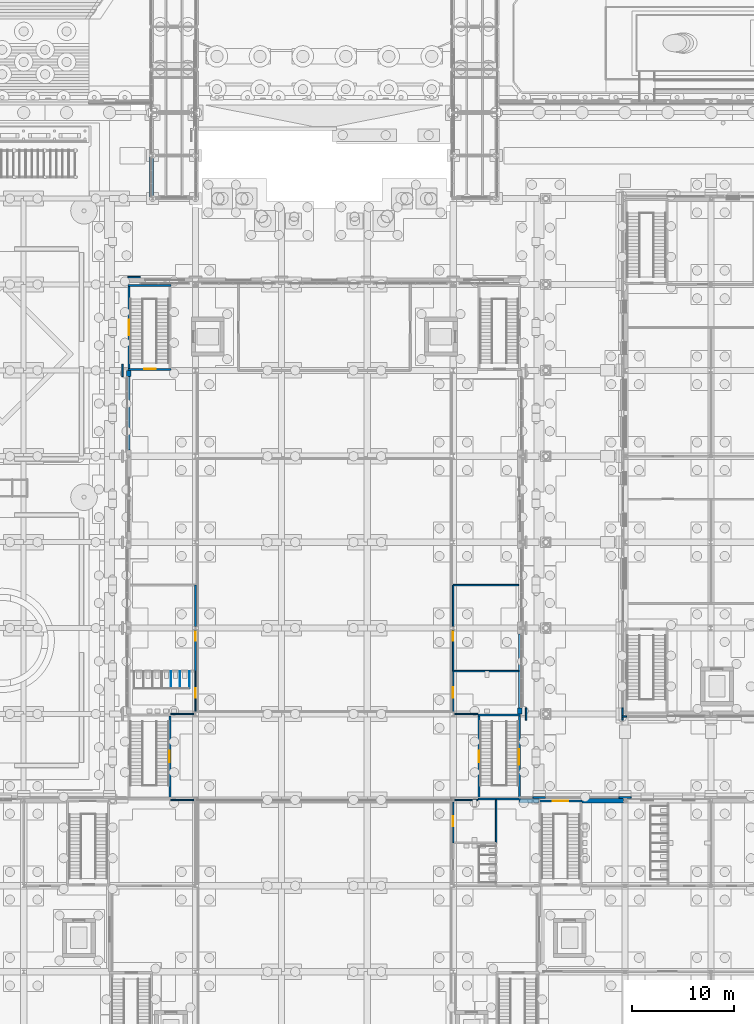
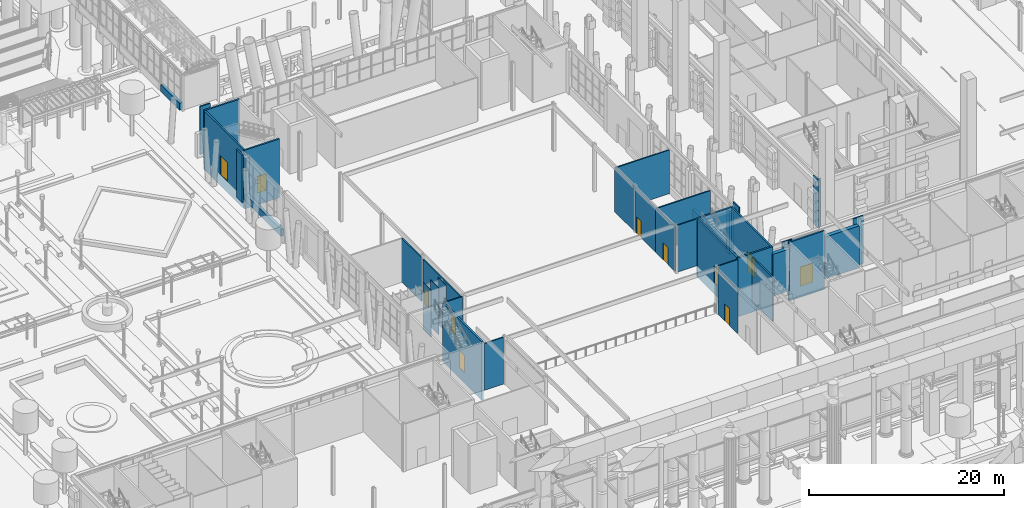
# One storey, part 94 of 222: 40 walls, 11 doors, 11 openings.
"""IFC4 building model written with IfcOpenShell, lengths in metres."""

from ifc_helpers import new_model, si_unit, direction, frame, frame_2d, origin, place, context, subcontext, project, spatial, rectangle, extrude, material, layer, layer_set, type_object, element, fill, save


model = new_model("IFC4")

# Units and contexts
model_context = context("Model", 3, precision=1e-05, world=origin(), true_north=direction((0.0, 1.0)))
body_context = subcontext(model_context, "Body", "Model", "MODEL_VIEW")
ifc_project = project(units=[si_unit("LENGTHUNIT", "METRE"), si_unit("AREAUNIT", "SQUARE_METRE"), si_unit("VOLUMEUNIT", "CUBIC_METRE"), si_unit("PLANEANGLEUNIT", "RADIAN"), si_unit("MASSUNIT", "GRAM", prefix="KILO")], contexts=[model_context])

# Site, building, storey
site_placement = place(None, origin())
site = spatial("IfcSite", under=ifc_project, at=site_placement, CompositionType="ELEMENT")
building_placement = place(site_placement, origin())
building = spatial("IfcBuilding", under=site, at=building_placement, Name="Sava Quay Ferry Terminal", CompositionType="ELEMENT")
storey_placement = place(building_placement, origin())
storey = spatial("IfcBuildingStorey", under=building, at=storey_placement, Name="L00", CompositionType="ELEMENT", Elevation=0.0)

# Walls
ifc_material_1 = material(Name="High-pressure laminate panel")
ifc_layer_1 = layer(ifc_material_1, 0.050048828125)
ifc_layer_set_1 = layer_set([ifc_layer_1], Name="High-pressure laminate panel")
wall_type_1 = type_object("IfcWallType", Name="Cubicle partition 50", PredefinedType="PARTITIONING", material=ifc_layer_set_1)
for number, where, z_axis, x_axis, name in (
    (1, (48.0, 63.0, 0.0), (0.0, 0.0, 1.0), (0.0, -1.0, 0.0), "Cubicle partition panel"),
    (2, (48.89990234375, 63.0, 0.0), (0.0, 0.0, 1.0), (0.0, -1.0, 0.0), "Cubicle partition panel"),
    (3, (49.800048828125, 63.0, 0.0), (0.0, 0.0, 1.0), (0.0, -1.0, 0.0), "Cubicle partition panel"),
):
    element("IfcWall", number, at=place(storey_placement, frame(where, z_axis=z_axis, x_axis=x_axis)), inside=storey, type_object=wall_type_1, Name=name, PredefinedType="PARTITIONING", context=body_context, shape_type="SweptSolid", body=[
        extrude(rectangle(XDim=1.699951171875, YDim=0.050048828125, at=frame_2d((0.85009765625, 0.0))), origin(), (0.0, 0.0, 1.0), 5.8701171875),
    ])
ifc_material_2 = material(Name="Limestone Mutalj", Category="masonry")
ifc_layer_2 = layer(ifc_material_2, 0.35009765625)
ifc_layer_set_2 = layer_set([ifc_layer_2], Name="Limestone Mutalj")
wall_type_2 = type_object("IfcWallType", Name="Limestone kerb and parapet 350", PredefinedType="SOLIDWALL", material=ifc_layer_set_2)
wall_1_placement = place(storey_placement, frame((43.824951171875, 84.60009765625, 0.0), z_axis=(0.0, 0.0, 1.0), x_axis=(0.0, 1.0, 0.0)))
element("IfcWall", 4, at=wall_1_placement, inside=storey, type_object=wall_type_2, Name="External wall D", PredefinedType="SOLIDWALL", context=body_context, shape_type="SweptSolid", body=[
    extrude(rectangle(XDim=7.199951171875, YDim=0.35009765625, at=frame_2d((3.60009765625, 0.0))), origin(), (0.0, 0.0, 1.0), 0.89990234375),
])
wall_2_placement = place(storey_placement, frame((82.175048828125, 59.39990234375, 0.0), z_axis=(0.0, 0.0, 1.0), x_axis=(0.0, 1.0, 0.0)))
element("IfcWall", 5, at=wall_2_placement, inside=storey, type_object=wall_type_2, Name="External wall D", PredefinedType="SOLIDWALL", context=body_context, shape_type="SweptSolid", body=[
    extrude(rectangle(XDim=7.2001953125, YDim=0.35009765625, at=frame_2d((3.60009765625, 0.0))), origin(), (0.0, 0.0, 1.0), 0.89990234375),
])
wall_3_placement = place(storey_placement, frame((46.10009765625, 109.35009765625, 0.0), z_axis=(0.0, 0.0, 1.0), x_axis=(0.0, 1.0, 0.0)))
element("IfcWall", 6, at=wall_3_placement, inside=storey, type_object=wall_type_2, Name="Gallery kerb", PredefinedType="SOLIDWALL", context=body_context, shape_type="SweptSolid", body=[
    extrude(rectangle(XDim=3.89990234375, YDim=0.35009765625, at=frame_2d((1.949951171875, 0.0))), origin(), (0.0, 0.0, 1.0), 0.89990234375),
])
ifc_material_3 = material(Name="Limestone Mutalj", Category="masonry")
ifc_layer_3 = layer(ifc_material_3, 0.14990234375)
ifc_layer_set_3 = layer_set([ifc_layer_3], Name="Limestone Mutalj")
wall_type_3 = type_object("IfcWallType", Name="Pier cladding 150", PredefinedType="SOLIDWALL", material=ifc_layer_set_3)
wall_4_placement = place(storey_placement, frame((83.39990234375, 50.635009765625, 0.0), z_axis=(0.0, 0.0, 1.0), x_axis=(1.0, 0.0, 0.0)))
element("IfcWall", 7, at=wall_4_placement, inside=storey, type_object=wall_type_3, Name="Pier P-N grid 84", PredefinedType="SOLIDWALL", context=body_context, shape_type="SweptSolid", body=[
    extrude(rectangle(XDim=1.2001953125, YDim=0.14990234375, at=frame_2d((0.60009765625, 0.0))), origin(), (0.0, 0.0, 1.0), 6.0),
])
wall_5_placement = place(storey_placement, frame((91.800048828125, 50.635009765625, 0.0), z_axis=(0.0, 0.0, 1.0), x_axis=(1.0, 0.0, 0.0)))
element("IfcWall", 8, at=wall_5_placement, inside=storey, type_object=wall_type_3, Name="Pier P-N grid 92.4", PredefinedType="SOLIDWALL", context=body_context, shape_type="SweptSolid", body=[
    extrude(rectangle(XDim=1.199951171875, YDim=0.14990234375, at=frame_2d((0.60009765625, 0.0))), origin(), (0.0, 0.0, 1.0), 6.0),
])
wall_6_placement = place(storey_placement, frame((92.10009765625, 58.56494140625, 0.0), z_axis=(0.0, 0.0, 1.0), x_axis=(1.0, 0.0, 0.0)))
element("IfcWall", 9, at=wall_6_placement, inside=storey, type_object=wall_type_3, Name="Pier O-S grid 92.4", PredefinedType="SOLIDWALL", context=body_context, shape_type="SweptSolid", body=[
    extrude(rectangle(XDim=0.449951171875, YDim=0.14990234375, at=frame_2d((0.22509765625, 0.0))), origin(), (0.0, 0.0, 1.0), 6.0),
])
for number, where, z_axis, x_axis, name in (
    (10, (92.175048828125, 58.199951171875, 0.0), (0.0, 0.0, 1.0), (0.0, 1.0, 0.0), "Pier O-W grid 58.8"),
    (11, (43.27490234375, 91.800048828125, 0.0), (0.0, 0.0, 1.0), (0.0, 1.0, 0.0), "External wall D"),
    (12, (82.72509765625, 58.199951171875, 0.0), (0.0, 0.0, 1.0), (0.0, 1.0, 0.0), "External wall D"),
    (13, (43.800048828125, 101.52490234375, 0.0), (0.0, 0.0, 1.0), (1.0, 0.0, 0.0), "Pier D-N 44.4"),
):
    element("IfcWall", number, at=place(storey_placement, frame(where, z_axis=z_axis, x_axis=x_axis)), inside=storey, type_object=wall_type_3, Name=name, PredefinedType="SOLIDWALL", context=body_context, shape_type="SweptSolid", body=[
        extrude(rectangle(XDim=1.199951171875, YDim=0.14990234375, at=frame_2d((0.60009765625, 0.0))), origin(), (0.0, 0.0, 1.0), 6.0),
    ])
ifc_material_4 = material(Name="Masonry blockwork", Category="masonry")
ifc_layer_4 = layer(ifc_material_4, 0.14990234375)
ifc_layer_set_4 = layer_set([ifc_layer_4], Name="Masonry blockwork")
wall_type_4 = type_object("IfcWallType", Name="Plant, store and lobby wall, blockwork 150", PredefinedType="PARTITIONING", material=ifc_layer_set_4)
wall_7_placement = place(storey_placement, frame((79.800048828125, 46.199951171875, 0.0), z_axis=(0.0, 0.0, 1.0), x_axis=(0.0, 1.0, 0.0)))
element("IfcWall", 14, at=wall_7_placement, inside=storey, type_object=wall_type_4, Name="Plant, store and lobby wall, blockwork 150", PredefinedType="PARTITIONING", context=body_context, shape_type="SweptSolid", body=[
    extrude(rectangle(XDim=4.199951171875, YDim=0.14990234375, at=frame_2d((2.10009765625, 0.0))), origin(), (0.0, 0.0, 1.0), 5.510009765625),
])

# Wall, opening, door
wall_8_placement = place(storey_placement, frame((50.39990234375, 63.0, 0.0), z_axis=(0.0, 0.0, 1.0), x_axis=(0.0, 1.0, 0.0)))
wall_8 = element("IfcWall", 15, at=wall_8_placement, inside=storey, type_object=wall_type_4, Name="Plant, store and lobby wall, blockwork 150", PredefinedType="PARTITIONING", context=body_context, shape_type="SweptSolid", body=[
    extrude(rectangle(XDim=4.054931640625, YDim=0.14990234375, at=frame_2d((2.02734375, 0.0))), origin(), (0.0, 0.0, 1.0), 5.469970703125),
])
opening_1_placement = place(wall_8_placement, frame((2.949951171875, 0.0, 0.0)))
opening_1 = element("IfcOpeningElement", 16, at=opening_1_placement, cuts=wall_8, Name="Opening D0020", PredefinedType="OPENING", context=body_context, shape_type="SweptSolid", body=[
    extrude(rectangle(XDim=0.89990234375, YDim=2.10009765625, at=frame_2d((0.449951171875, 1.050048828125))), frame((0.0, 0.074951171875, 0.0), z_axis=(0.0, -1.0, 0.0), x_axis=(1.0, 0.0, 0.0)), (0.0, 0.0, 1.0), 0.14990234375),
])
ifc_material_5 = material(Name="Timber door set", Category="wood")
door_type_1 = type_object("IfcDoorType", Name="Single door 900 x 2100", OperationType="NOTDEFINED", PredefinedType="DOOR", material=ifc_material_5)
door_1_placement = place(opening_1_placement, origin())
door_1 = element("IfcDoor", 17, at=door_1_placement, inside=storey, type_object=door_type_1, Name="Door D0020", OperationType="SINGLE_SWING_LEFT", OverallHeight=2.10009765625, OverallWidth=0.89990234375, PredefinedType="DOOR", context=body_context, shape_type="SweptSolid", body=[
    extrude(rectangle(XDim=0.89990234375, YDim=2.10009765625, at=frame_2d((0.449951171875, 1.050048828125))), frame((0.0, 0.02490234375, 0.0), z_axis=(0.0, -1.0, 0.0), x_axis=(1.0, 0.0, 0.0)), (0.0, 0.0, 1.0), 0.050048828125),
])
fill(opening_1, door_1)

# Wall
wall_9_placement = place(storey_placement, frame((50.39990234375, 67.344970703125, 0.0), z_axis=(0.0, 0.0, 1.0), x_axis=(0.0, 1.0, 0.0)))
element("IfcWall", 18, at=wall_9_placement, inside=storey, type_object=wall_type_4, Name="Plant, store and lobby wall, blockwork 150", PredefinedType="PARTITIONING", context=body_context, shape_type="SweptSolid", body=[
    extrude(rectangle(XDim=4.054931640625, YDim=0.14990234375, at=frame_2d((2.02734375, 0.0))), origin(), (0.0, 0.0, 1.0), 5.469970703125),
])

# Wall, opening, door
wall_10_placement = place(storey_placement, frame((75.60009765625, 63.0, 0.0), z_axis=(0.0, 0.0, 1.0), x_axis=(0.0, 1.0, 0.0)))
wall_10 = element("IfcWall", 19, at=wall_10_placement, inside=storey, type_object=wall_type_4, Name="Plant, store and lobby wall, blockwork 150", PredefinedType="PARTITIONING", context=body_context, shape_type="SweptSolid", body=[
    extrude(rectangle(XDim=4.054931640625, YDim=0.14990234375, at=frame_2d((2.02734375, 0.0))), origin(), (0.0, 0.0, 1.0), 5.469970703125),
])
opening_2_placement = place(wall_10_placement, frame((2.949951171875, 0.0, 0.0)))
opening_2 = element("IfcOpeningElement", 20, at=opening_2_placement, cuts=wall_10, Name="Opening D0022", PredefinedType="OPENING", context=body_context, shape_type="SweptSolid", body=[
    extrude(rectangle(XDim=0.89990234375, YDim=2.10009765625, at=frame_2d((0.449951171875, 1.050048828125))), frame((0.0, 0.074951171875, 0.0), z_axis=(0.0, -1.0, 0.0), x_axis=(1.0, 0.0, 0.0)), (0.0, 0.0, 1.0), 0.14990234375),
])
door_2_placement = place(opening_2_placement, origin())
door_2 = element("IfcDoor", 21, at=door_2_placement, inside=storey, type_object=door_type_1, Name="Door D0022", OperationType="SINGLE_SWING_LEFT", OverallHeight=2.10009765625, OverallWidth=0.89990234375, PredefinedType="DOOR", context=body_context, shape_type="SweptSolid", body=[
    extrude(rectangle(XDim=0.89990234375, YDim=2.10009765625, at=frame_2d((0.449951171875, 1.050048828125))), frame((0.0, 0.02490234375, 0.0), z_axis=(0.0, -1.0, 0.0), x_axis=(1.0, 0.0, 0.0)), (0.0, 0.0, 1.0), 0.050048828125),
])
fill(opening_2, door_2)

# Walls
wall_11_placement = place(storey_placement, frame((75.60009765625, 67.344970703125, 0.0), z_axis=(0.0, 0.0, 1.0), x_axis=(0.0, 1.0, 0.0)))
element("IfcWall", 22, at=wall_11_placement, inside=storey, type_object=wall_type_4, Name="Plant, store and lobby wall, blockwork 150", PredefinedType="PARTITIONING", context=body_context, shape_type="SweptSolid", body=[
    extrude(rectangle(XDim=4.054931640625, YDim=0.14990234375, at=frame_2d((2.02734375, 0.0))), origin(), (0.0, 0.0, 1.0), 5.469970703125),
])
for number, where, z_axis, x_axis, name in (
    (23, (75.60009765625, 63.0, 0.0), (0.0, 0.0, 1.0), (1.0, 0.0, 0.0), "Plant, store and lobby wall, blockwork 150"),
    (24, (75.60009765625, 71.39990234375, 0.0), (0.0, 0.0, 1.0), (1.0, 0.0, 0.0), "Plant, store and lobby wall, blockwork 150"),
):
    element("IfcWall", number, at=place(storey_placement, frame(where, z_axis=z_axis, x_axis=x_axis)), inside=storey, type_object=wall_type_4, Name=name, PredefinedType="PARTITIONING", context=body_context, shape_type="SweptSolid", body=[
        extrude(rectangle(XDim=6.3994140625, YDim=0.14990234375, at=frame_2d((3.19970703125, 0.0))), origin(), (0.0, 0.0, 1.0), 5.469970703125),
    ])

# Wall, opening, door
ifc_material_6 = material(Name="Concrete C35/45", Category="concrete")
ifc_layer_5 = layer(ifc_material_6, 0.199951171875)
ifc_layer_set_5 = layer_set([ifc_layer_5], Name="Concrete C35/45")
wall_type_5 = type_object("IfcWallType", Name="RC core wall 200", PredefinedType="SHEAR", material=ifc_layer_set_5)
wall_12_placement = place(storey_placement, frame((47.89990234375, 50.60009765625, -1.35009765625), z_axis=(0.0, 0.0, 1.0), x_axis=(0.0, 1.0, 0.0)))
wall_12 = element("IfcWall", 25, at=wall_12_placement, inside=storey, type_object=wall_type_5, Name="Core wall ST-D1 E L00", PredefinedType="SHEAR", context=body_context, shape_type="SweptSolid", body=[
    extrude(rectangle(XDim=8.0, YDim=0.199951171875, at=frame_2d((4.0, 0.0))), origin(), (0.0, 0.0, 1.0), 7.35009765625),
])
opening_3_placement = place(wall_12_placement, frame((3.5, 0.0, 1.35009765625)))
opening_3 = element("IfcOpeningElement", 26, at=opening_3_placement, cuts=wall_12, Name="Opening DS0006", PredefinedType="OPENING", context=body_context, shape_type="SweptSolid", body=[
    extrude(rectangle(XDim=1.10009765625, YDim=2.10009765625, at=frame_2d((0.550048828125, 1.050048828125))), frame((0.0, 0.10009765625, 0.0), z_axis=(0.0, -1.0, 0.0), x_axis=(1.0, 0.0, 0.0)), (0.0, 0.0, 1.0), 0.199951171875),
])
ifc_material_7 = material(Name="Steel fire door set", Category="steel")
door_type_2 = type_object("IfcDoorType", Name="Stair fire door 1100 x 2100", OperationType="NOTDEFINED", PredefinedType="DOOR", material=ifc_material_7)
door_3_placement = place(opening_3_placement, frame((1.10009765625, 0.050048828125, 0.0), z_axis=(0.0, 0.0, 1.0), x_axis=(-1.0, 0.0, 0.0)))
door_3 = element("IfcDoor", 27, at=door_3_placement, inside=storey, type_object=door_type_2, Name="Door DS0006", OperationType="SINGLE_SWING_RIGHT", OverallHeight=2.10009765625, OverallWidth=1.10009765625, PredefinedType="DOOR", context=body_context, shape_type="SweptSolid", body=[
    extrude(rectangle(XDim=1.10009765625, YDim=2.10009765625, at=frame_2d((0.550048828125, 1.050048828125))), frame((0.0, 0.02490234375, 0.0), z_axis=(0.0, -1.0, 0.0), x_axis=(1.0, 0.0, 0.0)), (0.0, 0.0, 1.0), 0.050048828125),
])
fill(opening_3, door_3)

# Walls
for number, where, z_axis, x_axis, name in (
    (28, (78.0, 50.5, -1.35009765625), (0.0, 0.0, 1.0), (1.0, 0.0, 0.0), "Core wall ST-D2 S L00"),
    (29, (78.0, 58.699951171875, -1.35009765625), (0.0, 0.0, 1.0), (1.0, 0.0, 0.0), "Core wall ST-D2 N L00"),
):
    element("IfcWall", number, at=place(storey_placement, frame(where, z_axis=z_axis, x_axis=x_axis)), inside=storey, type_object=wall_type_5, Name=name, PredefinedType="SHEAR", context=body_context, shape_type="SweptSolid", body=[
        extrude(rectangle(XDim=4.199951171875, YDim=0.199951171875, at=frame_2d((2.10009765625, 0.0))), origin(), (0.0, 0.0, 1.0), 7.35009765625),
    ])

# Wall, opening, door
wall_13_placement = place(storey_placement, frame((78.10009765625, 50.60009765625, -1.35009765625), z_axis=(0.0, 0.0, 1.0), x_axis=(0.0, 1.0, 0.0)))
wall_13 = element("IfcWall", 30, at=wall_13_placement, inside=storey, type_object=wall_type_5, Name="Core wall ST-D2 W L00", PredefinedType="SHEAR", context=body_context, shape_type="SweptSolid", body=[
    extrude(rectangle(XDim=8.0, YDim=0.199951171875, at=frame_2d((4.0, 0.0))), origin(), (0.0, 0.0, 1.0), 7.35009765625),
])
opening_4_placement = place(wall_13_placement, frame((3.5, 0.0, 1.35009765625)))
opening_4 = element("IfcOpeningElement", 31, at=opening_4_placement, cuts=wall_13, Name="Opening DS0007", PredefinedType="OPENING", context=body_context, shape_type="SweptSolid", body=[
    extrude(rectangle(XDim=1.10009765625, YDim=2.10009765625, at=frame_2d((0.550048828125, 1.050048828125))), frame((0.0, 0.10009765625, 0.0), z_axis=(0.0, -1.0, 0.0), x_axis=(1.0, 0.0, 0.0)), (0.0, 0.0, 1.0), 0.199951171875),
])
door_4_placement = place(opening_4_placement, origin())
door_4 = element("IfcDoor", 32, at=door_4_placement, inside=storey, type_object=door_type_2, Name="Door DS0007", OperationType="SINGLE_SWING_RIGHT", OverallHeight=2.10009765625, OverallWidth=1.10009765625, PredefinedType="DOOR", context=body_context, shape_type="SweptSolid", body=[
    extrude(rectangle(XDim=1.10009765625, YDim=2.10009765625, at=frame_2d((0.550048828125, 1.050048828125))), frame((0.0, 0.02490234375, 0.0), z_axis=(0.0, -1.0, 0.0), x_axis=(1.0, 0.0, 0.0)), (0.0, 0.0, 1.0), 0.050048828125),
])
fill(opening_4, door_4)

wall_14_placement = place(storey_placement, frame((82.10009765625, 50.60009765625, -1.35009765625), z_axis=(0.0, 0.0, 1.0), x_axis=(0.0, 1.0, 0.0)))
wall_14 = element("IfcWall", 33, at=wall_14_placement, inside=storey, type_object=wall_type_5, Name="Core wall ST-D2 E L00", PredefinedType="SHEAR", context=body_context, shape_type="SweptSolid", body=[
    extrude(rectangle(XDim=8.0, YDim=0.199951171875, at=frame_2d((4.0, 0.0))), origin(), (0.0, 0.0, 1.0), 7.35009765625),
])
opening_5_placement = place(wall_14_placement, frame((3.25, 0.0, 1.35009765625)))
opening_5 = element("IfcOpeningElement", 34, at=opening_5_placement, cuts=wall_14, Name="Opening DX-D2", PredefinedType="OPENING", context=body_context, shape_type="SweptSolid", body=[
    extrude(rectangle(XDim=1.5, YDim=2.39990234375, at=frame_2d((0.75, 1.199951171875))), frame((0.0, 0.10009765625, 0.0), z_axis=(0.0, -1.0, 0.0), x_axis=(1.0, 0.0, 0.0)), (0.0, 0.0, 1.0), 0.199951171875),
])
ifc_material_8 = material(Name="Aluminium bronze anodised, glazing safety laminated", Category="aluminium")
door_type_3 = type_object("IfcDoorType", Name="Exit door 1500x2400", OperationType="DOUBLE_DOOR_SINGLE_SWING", PredefinedType="DOOR", material=ifc_material_8)
door_5_placement = place(opening_5_placement, frame((1.5, 0.050048828125, 0.0), z_axis=(0.0, 0.0, 1.0), x_axis=(-1.0, 0.0, 0.0)))
door_5 = element("IfcDoor", 35, at=door_5_placement, inside=storey, type_object=door_type_3, Name="Door DX-D2", OperationType="DOUBLE_DOOR_SINGLE_SWING", OverallHeight=2.39990234375, OverallWidth=1.5, PredefinedType="DOOR", context=body_context, shape_type="SweptSolid", body=[
    extrude(rectangle(XDim=1.5, YDim=2.39990234375, at=frame_2d((0.75, 1.199951171875))), frame((0.0, 0.02490234375, 0.0), z_axis=(0.0, -1.0, 0.0), x_axis=(1.0, 0.0, 0.0)), (0.0, 0.0, 1.0), 0.050048828125),
])
fill(opening_5, door_5)

wall_15_placement = place(storey_placement, frame((43.800048828125, 92.5, -1.35009765625), z_axis=(0.0, 0.0, 1.0), x_axis=(1.0, 0.0, 0.0)))
wall_15 = element("IfcWall", 36, at=wall_15_placement, inside=storey, type_object=wall_type_5, Name="Core wall ST-D5 S L00", PredefinedType="SHEAR", context=body_context, shape_type="SweptSolid", body=[
    extrude(rectangle(XDim=4.199951171875, YDim=0.199951171875, at=frame_2d((2.10009765625, 0.0))), origin(), (0.0, 0.0, 1.0), 7.35009765625),
])
opening_6_placement = place(wall_15_placement, frame((1.60009765625, 0.0, 1.35009765625)))
opening_6 = element("IfcOpeningElement", 37, at=opening_6_placement, cuts=wall_15, Name="Opening DS0008", PredefinedType="OPENING", context=body_context, shape_type="SweptSolid", body=[
    extrude(rectangle(XDim=1.10009765625, YDim=2.10009765625, at=frame_2d((0.550048828125, 1.050048828125))), frame((0.0, 0.10009765625, 0.0), z_axis=(0.0, -1.0, 0.0), x_axis=(1.0, 0.0, 0.0)), (0.0, 0.0, 1.0), 0.199951171875),
])
door_6_placement = place(opening_6_placement, frame((1.10009765625, 0.050048828125, 0.0), z_axis=(0.0, 0.0, 1.0), x_axis=(-1.0, 0.0, 0.0)))
door_6 = element("IfcDoor", 38, at=door_6_placement, inside=storey, type_object=door_type_2, Name="Door DS0008", OperationType="SINGLE_SWING_RIGHT", OverallHeight=2.10009765625, OverallWidth=1.10009765625, PredefinedType="DOOR", context=body_context, shape_type="SweptSolid", body=[
    extrude(rectangle(XDim=1.10009765625, YDim=2.10009765625, at=frame_2d((0.550048828125, 1.050048828125))), frame((0.0, 0.02490234375, 0.0), z_axis=(0.0, -1.0, 0.0), x_axis=(1.0, 0.0, 0.0)), (0.0, 0.0, 1.0), 0.050048828125),
])
fill(opening_6, door_6)

# Wall
wall_16_placement = place(storey_placement, frame((43.800048828125, 100.699951171875, -1.35009765625), z_axis=(0.0, 0.0, 1.0), x_axis=(1.0, 0.0, 0.0)))
element("IfcWall", 39, at=wall_16_placement, inside=storey, type_object=wall_type_5, Name="Core wall ST-D5 N L00", PredefinedType="SHEAR", context=body_context, shape_type="SweptSolid", body=[
    extrude(rectangle(XDim=4.199951171875, YDim=0.199951171875, at=frame_2d((2.10009765625, 0.0))), origin(), (0.0, 0.0, 1.0), 7.35009765625),
])

# Wall, opening, door
wall_17_placement = place(storey_placement, frame((43.89990234375, 92.60009765625, -1.35009765625), z_axis=(0.0, 0.0, 1.0), x_axis=(0.0, 1.0, 0.0)))
wall_17 = element("IfcWall", 40, at=wall_17_placement, inside=storey, type_object=wall_type_5, Name="Core wall ST-D5 W L00", PredefinedType="SHEAR", context=body_context, shape_type="SweptSolid", body=[
    extrude(rectangle(XDim=8.0, YDim=0.199951171875, at=frame_2d((4.0, 0.0))), origin(), (0.0, 0.0, 1.0), 7.35009765625),
])
opening_7_placement = place(wall_17_placement, frame((3.25, 0.0, 1.35009765625)))
opening_7 = element("IfcOpeningElement", 41, at=opening_7_placement, cuts=wall_17, Name="Opening DX-D3", PredefinedType="OPENING", context=body_context, shape_type="SweptSolid", body=[
    extrude(rectangle(XDim=1.5, YDim=2.39990234375, at=frame_2d((0.75, 1.199951171875))), frame((0.0, 0.10009765625, 0.0), z_axis=(0.0, -1.0, 0.0), x_axis=(1.0, 0.0, 0.0)), (0.0, 0.0, 1.0), 0.199951171875),
])
door_7_placement = place(opening_7_placement, origin())
door_7 = element("IfcDoor", 42, at=door_7_placement, inside=storey, type_object=door_type_3, Name="Door DX-D3", OperationType="DOUBLE_DOOR_SINGLE_SWING", OverallHeight=2.39990234375, OverallWidth=1.5, PredefinedType="DOOR", context=body_context, shape_type="SweptSolid", body=[
    extrude(rectangle(XDim=1.5, YDim=2.39990234375, at=frame_2d((0.75, 1.199951171875))), frame((0.0, 0.02490234375, 0.0), z_axis=(0.0, -1.0, 0.0), x_axis=(1.0, 0.0, 0.0)), (0.0, 0.0, 1.0), 0.050048828125),
])
fill(opening_7, door_7)

wall_18_placement = place(storey_placement, frame((84.0, 50.300048828125, -1.35009765625), z_axis=(0.0, 0.0, 1.0), x_axis=(1.0, 0.0, 0.0)))
wall_18 = element("IfcWall", 43, at=wall_18_placement, inside=storey, type_object=wall_type_5, Name="Core wall ST-P1 N L00", PredefinedType="SHEAR", context=body_context, shape_type="SweptSolid", body=[
    extrude(rectangle(XDim=4.199951171875, YDim=0.199951171875, at=frame_2d((2.10009765625, 0.0))), origin(), (0.0, 0.0, 1.0), 7.35009765625),
])
opening_8_placement = place(wall_18_placement, frame((1.35009765625, 0.0, 1.35009765625)))
opening_8 = element("IfcOpeningElement", 44, at=opening_8_placement, cuts=wall_18, Name="Opening DX-P3", PredefinedType="OPENING", context=body_context, shape_type="SweptSolid", body=[
    extrude(rectangle(XDim=1.5, YDim=2.39990234375, at=frame_2d((0.75, 1.199951171875))), frame((0.0, 0.10009765625, 0.0), z_axis=(0.0, -1.0, 0.0), x_axis=(1.0, 0.0, 0.0)), (0.0, 0.0, 1.0), 0.199951171875),
])
door_8_placement = place(opening_8_placement, origin())
door_8 = element("IfcDoor", 45, at=door_8_placement, inside=storey, type_object=door_type_3, Name="Door DX-P3", OperationType="DOUBLE_DOOR_SINGLE_SWING", OverallHeight=2.39990234375, OverallWidth=1.5, PredefinedType="DOOR", context=body_context, shape_type="SweptSolid", body=[
    extrude(rectangle(XDim=1.5, YDim=2.39990234375, at=frame_2d((0.75, 1.199951171875))), frame((0.0, 0.02490234375, 0.0), z_axis=(0.0, -1.0, 0.0), x_axis=(1.0, 0.0, 0.0)), (0.0, 0.0, 1.0), 0.050048828125),
])
fill(opening_8, door_8)

# Walls
ifc_material_9 = material(Name="Plasterboard on steel studs", Category="steel")
ifc_layer_6 = layer(ifc_material_9, 0.125)
ifc_layer_set_6 = layer_set([ifc_layer_6], Name="Plasterboard on steel studs")
wall_type_6 = type_object("IfcWallType", Name="Room partition, plasterboard on steel studs 125", PredefinedType="PARTITIONING", material=ifc_layer_set_6)
wall_19_placement = place(storey_placement, frame((48.0, 50.39990234375, 0.0), z_axis=(0.0, 0.0, 1.0), x_axis=(1.0, 0.0, 0.0)))
element("IfcWall", 46, at=wall_19_placement, inside=storey, type_object=wall_type_6, Name="Room partition, plasterboard on steel studs 125", PredefinedType="PARTITIONING", context=body_context, shape_type="SweptSolid", body=[
    extrude(rectangle(XDim=2.25, YDim=0.125, at=frame_2d((1.125, 0.0))), origin(), (0.0, 0.0, 1.0), 5.8701171875),
])
ifc_material_10 = material(Name="Limestone Mutalj", Category="masonry")
ifc_layer_7 = layer(ifc_material_10, 0.449951171875)
ifc_layer_set_7 = layer_set([ifc_layer_7], Name="Limestone Mutalj")
wall_type_7 = type_object("IfcWallType", Name="Rusticated limestone infill 450", PredefinedType="SOLIDWALL", material=ifc_layer_set_7)
wall_20_placement = place(storey_placement, frame((82.050048828125, 50.3349609375, 0.0), z_axis=(0.0, 0.0, 1.0), x_axis=(1.0, 0.0, 0.0)))
element("IfcWall", 47, at=wall_20_placement, inside=storey, type_object=wall_type_7, Name="External wall P-N", PredefinedType="SOLIDWALL", context=body_context, shape_type="SweptSolid", body=[
    extrude(rectangle(XDim=1.949951171875, YDim=0.449951171875, at=frame_2d((0.97509765625, 0.0))), origin(), (0.0, 0.0, 1.0), 5.25),
])
wall_21_placement = place(storey_placement, frame((88.199951171875, 50.3349609375, 0.0), z_axis=(0.0, 0.0, 1.0), x_axis=(1.0, 0.0, 0.0)))
element("IfcWall", 48, at=wall_21_placement, inside=storey, type_object=wall_type_7, Name="External wall P-N", PredefinedType="SOLIDWALL", context=body_context, shape_type="SweptSolid", body=[
    extrude(rectangle(XDim=4.050048828125, YDim=0.449951171875, at=frame_2d((2.02490234375, 0.0))), origin(), (0.0, 0.0, 1.0), 5.25),
])
for number, where, z_axis, x_axis, name in (
    (49, (43.875, 91.800048828125, 0.0), (0.0, 0.0, 1.0), (0.0, 1.0, 0.0), "External wall D"),
    (50, (82.125, 58.800048828125, 0.0), (0.0, 0.0, 1.0), (0.0, 1.0, 0.0), "External wall D"),
):
    element("IfcWall", number, at=place(storey_placement, frame(where, z_axis=z_axis, x_axis=x_axis)), inside=storey, type_object=wall_type_7, Name=name, PredefinedType="SOLIDWALL", context=body_context, shape_type="SweptSolid", body=[
        extrude(rectangle(XDim=0.599853515625, YDim=0.449951171875, at=frame_2d((0.2998046875, 0.0))), origin(), (0.0, 0.0, 1.0), 5.39990234375),
    ])

# Wall, opening, door
ifc_material_11 = material(Name="Moisture-resistant board on steel studs", Category="steel")
ifc_layer_8 = layer(ifc_material_11, 0.125)
ifc_layer_set_8 = layer_set([ifc_layer_8], Name="Moisture-resistant board on steel studs")
wall_type_8 = type_object("IfcWallType", Name="Toilet partition, moisture-resistant board 125", PredefinedType="PARTITIONING", material=ifc_layer_set_8)
wall_22_placement = place(storey_placement, frame((75.60009765625, 46.199951171875, 0.0), z_axis=(0.0, 0.0, 1.0), x_axis=(0.0, 1.0, 0.0)))
wall_22 = element("IfcWall", 51, at=wall_22_placement, inside=storey, type_object=wall_type_8, Name="Toilet partition, moisture-resistant board 125", PredefinedType="PARTITIONING", context=body_context, shape_type="SweptSolid", body=[
    extrude(rectangle(XDim=4.0, YDim=0.125, at=frame_2d((2.0, 0.0))), origin(), (0.0, 0.0, 1.0), 5.47998046875),
])
opening_9_placement = place(wall_22_placement, frame((1.60009765625, 0.0, 0.0)))
opening_9 = element("IfcOpeningElement", 52, at=opening_9_placement, cuts=wall_22, Name="Opening D0003", PredefinedType="OPENING", context=body_context, shape_type="SweptSolid", body=[
    extrude(rectangle(XDim=1.0, YDim=2.10009765625, at=frame_2d((0.5, 1.050048828125))), frame((0.0, 0.0625, 0.0), z_axis=(0.0, -1.0, 0.0), x_axis=(1.0, 0.0, 0.0)), (0.0, 0.0, 1.0), 0.125),
])
ifc_material_12 = material(Name="Laminate door set")
door_type_4 = type_object("IfcDoorType", Name="Accessible toilet door 1000 x 2100", OperationType="NOTDEFINED", PredefinedType="DOOR", material=ifc_material_12)
door_9_placement = place(opening_9_placement, origin())
door_9 = element("IfcDoor", 53, at=door_9_placement, inside=storey, type_object=door_type_4, Name="Door D0003", OperationType="SINGLE_SWING_RIGHT", OverallHeight=2.10009765625, OverallWidth=1.0, PredefinedType="DOOR", context=body_context, shape_type="SweptSolid", body=[
    extrude(rectangle(XDim=1.0, YDim=2.10009765625, at=frame_2d((0.5, 1.050048828125))), frame((0.0, 0.02490234375, 0.0), z_axis=(0.0, -1.0, 0.0), x_axis=(1.0, 0.0, 0.0)), (0.0, 0.0, 1.0), 0.050048828125),
])
fill(opening_9, door_9)

# Walls
for number, where, z_axis, x_axis, name in (
    (54, (75.75, 50.39990234375, 0.0), (0.0, 0.0, 1.0), (1.0, 0.0, 0.0), "Toilet partition, moisture-resistant board 125"),
    (55, (48.0, 58.800048828125, 0.0), (0.0, 0.0, 1.0), (1.0, 0.0, 0.0), "Toilet partition, moisture-resistant board 125"),
    (56, (75.75, 58.800048828125, 0.0), (0.0, 0.0, 1.0), (1.0, 0.0, 0.0), "Toilet partition, moisture-resistant board 125"),
):
    element("IfcWall", number, at=place(storey_placement, frame(where, z_axis=z_axis, x_axis=x_axis)), inside=storey, type_object=wall_type_8, Name=name, PredefinedType="PARTITIONING", context=body_context, shape_type="SweptSolid", body=[
        extrude(rectangle(XDim=2.25, YDim=0.125, at=frame_2d((1.125, 0.0))), origin(), (0.0, 0.0, 1.0), 5.8701171875),
    ])

# Wall, opening, door
wall_23_placement = place(storey_placement, frame((50.39990234375, 59.0, 0.0), z_axis=(0.0, 0.0, 1.0), x_axis=(0.0, 1.0, 0.0)))
wall_23 = element("IfcWall", 57, at=wall_23_placement, inside=storey, type_object=wall_type_8, Name="Toilet partition, moisture-resistant board 125", PredefinedType="PARTITIONING", context=body_context, shape_type="SweptSolid", body=[
    extrude(rectangle(XDim=4.0, YDim=0.125, at=frame_2d((2.0, 0.0))), origin(), (0.0, 0.0, 1.0), 5.469970703125),
])
opening_10_placement = place(wall_23_placement, frame((1.39990234375, 0.0, 0.0)))
opening_10 = element("IfcOpeningElement", 58, at=opening_10_placement, cuts=wall_23, Name="Opening D0019", PredefinedType="OPENING", context=body_context, shape_type="SweptSolid", body=[
    extrude(rectangle(XDim=0.89990234375, YDim=2.10009765625, at=frame_2d((0.449951171875, 1.050048828125))), frame((0.0, 0.0625, 0.0), z_axis=(0.0, -1.0, 0.0), x_axis=(1.0, 0.0, 0.0)), (0.0, 0.0, 1.0), 0.125),
])
ifc_material_13 = material(Name="Laminate door set")
door_type_5 = type_object("IfcDoorType", Name="Toilet door 900 x 2100", OperationType="NOTDEFINED", PredefinedType="DOOR", material=ifc_material_13)
door_10_placement = place(opening_10_placement, origin())
door_10 = element("IfcDoor", 59, at=door_10_placement, inside=storey, type_object=door_type_5, Name="Door D0019", OperationType="SINGLE_SWING_LEFT", OverallHeight=2.10009765625, OverallWidth=0.89990234375, PredefinedType="DOOR", context=body_context, shape_type="SweptSolid", body=[
    extrude(rectangle(XDim=0.89990234375, YDim=2.10009765625, at=frame_2d((0.449951171875, 1.050048828125))), frame((0.0, 0.02490234375, 0.0), z_axis=(0.0, -1.0, 0.0), x_axis=(1.0, 0.0, 0.0)), (0.0, 0.0, 1.0), 0.050048828125),
])
fill(opening_10, door_10)

wall_24_placement = place(storey_placement, frame((75.60009765625, 59.0, 0.0), z_axis=(0.0, 0.0, 1.0), x_axis=(0.0, 1.0, 0.0)))
wall_24 = element("IfcWall", 60, at=wall_24_placement, inside=storey, type_object=wall_type_8, Name="Toilet partition, moisture-resistant board 125", PredefinedType="PARTITIONING", context=body_context, shape_type="SweptSolid", body=[
    extrude(rectangle(XDim=4.0, YDim=0.125, at=frame_2d((2.0, 0.0))), origin(), (0.0, 0.0, 1.0), 5.469970703125),
])
opening_11_placement = place(wall_24_placement, frame((1.39990234375, 0.0, 0.0)))
opening_11 = element("IfcOpeningElement", 61, at=opening_11_placement, cuts=wall_24, Name="Opening D0021", PredefinedType="OPENING", context=body_context, shape_type="SweptSolid", body=[
    extrude(rectangle(XDim=1.0, YDim=2.10009765625, at=frame_2d((0.5, 1.050048828125))), frame((0.0, 0.0625, 0.0), z_axis=(0.0, -1.0, 0.0), x_axis=(1.0, 0.0, 0.0)), (0.0, 0.0, 1.0), 0.125),
])
door_11_placement = place(opening_11_placement, origin())
door_11 = element("IfcDoor", 62, at=door_11_placement, inside=storey, type_object=door_type_4, Name="Door D0021", OperationType="SINGLE_SWING_LEFT", OverallHeight=2.10009765625, OverallWidth=1.0, PredefinedType="DOOR", context=body_context, shape_type="SweptSolid", body=[
    extrude(rectangle(XDim=1.0, YDim=2.10009765625, at=frame_2d((0.5, 1.050048828125))), frame((0.0, 0.02490234375, 0.0), z_axis=(0.0, -1.0, 0.0), x_axis=(1.0, 0.0, 0.0)), (0.0, 0.0, 1.0), 0.050048828125),
])
fill(opening_11, door_11)

save(model, "model.ifc")
